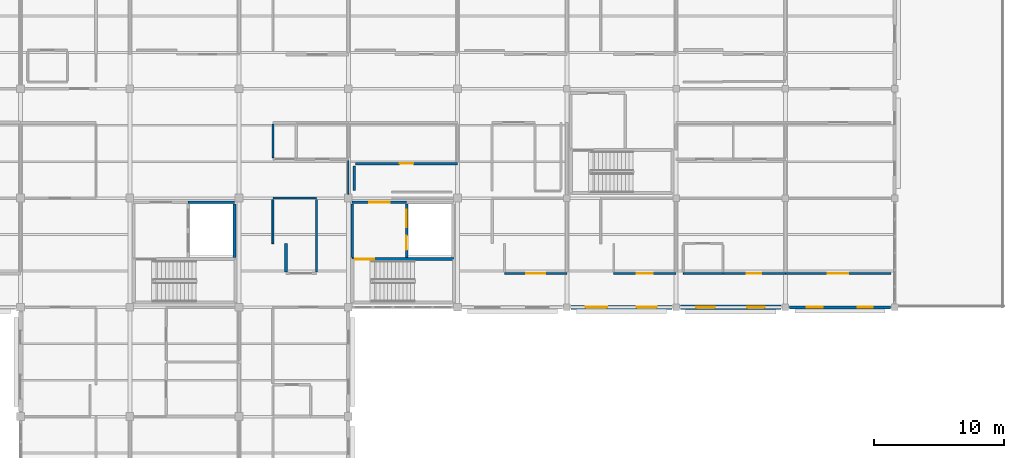
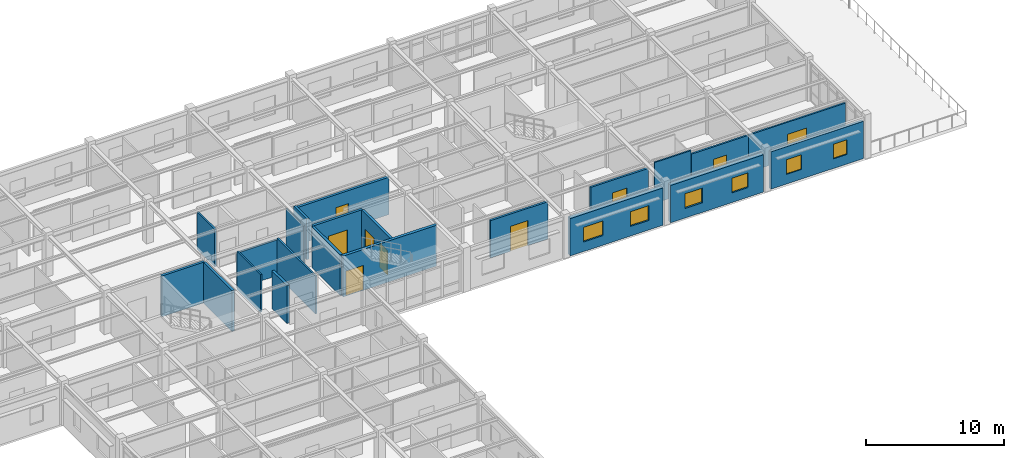
# One storey, part 56 of 70: 22 walls, 9 doors, 6 windows, 15 openings.
"""IFC4 building model written with IfcOpenShell, lengths in metres."""

from ifc_helpers import new_model, si_unit, direction, frame, frame_2d, origin, place, context, subcontext, project, spatial, rectangle, extrude, material, layer, layer_set, type_object, element, fill, save


model = new_model("IFC4")

# Units and contexts
model_context = context("Model", 3, precision=1e-05, world=origin(), true_north=direction((0.0, 1.0)))
body_context = subcontext(model_context, "Body", "Model", "MODEL_VIEW")
ifc_project = project(units=[si_unit("LENGTHUNIT", "METRE"), si_unit("AREAUNIT", "SQUARE_METRE"), si_unit("VOLUMEUNIT", "CUBIC_METRE"), si_unit("PLANEANGLEUNIT", "RADIAN"), si_unit("MASSUNIT", "GRAM", prefix="KILO")], contexts=[model_context])

# Site, building, storey
site_placement = place(None, origin())
site = spatial("IfcSite", under=ifc_project, at=site_placement, CompositionType="ELEMENT")
building_placement = place(site_placement, origin())
building = spatial("IfcBuilding", under=site, at=building_placement, Name="Bramfleet General Hospital", CompositionType="ELEMENT")
storey_placement = place(building_placement, frame((0.0, 0.0, 22.5)))
storey = spatial("IfcBuildingStorey", under=building, at=storey_placement, Name="L05", CompositionType="ELEMENT", Elevation=22.5)

# Wall, openings, windows
ifc_material_1 = material(Name="Precast concrete C40/50", Category="concrete")
ifc_layer_1 = layer(ifc_material_1, 0.3349609375, Name="WT-EW-03")
ifc_layer_set_1 = layer_set([ifc_layer_1], Name="Precast concrete C40/50")
wall_type_1 = type_object("IfcWallType", Name="WT-EW-03", PredefinedType="SOLIDWALL", material=ifc_layer_set_1)
wall_1_placement = place(storey_placement, frame((150.875, 92.39990234375, 0.0), z_axis=(0.0, 0.0, 1.0), x_axis=(-1.0, 0.0, 0.0)))
wall_1 = element("IfcWall", 1, at=wall_1_placement, inside=storey, type_object=wall_type_1, Name="L05 Exterior Wall 358", PredefinedType="SOLIDWALL", context=body_context, shape_type="SweptSolid", body=[
    extrude(rectangle(XDim=7.75, YDim=0.3349609375, at=frame_2d((3.875, 0.0))), origin(), (0.0, 0.0, 1.0), 3.31005859375),
])
opening_1_placement = place(wall_1_placement, frame((1.262451171875, 0.0, 0.85009765625)))
opening_1 = element("IfcOpeningElement", 2, at=opening_1_placement, cuts=wall_1, Name="Opening W-05", PredefinedType="OPENING", context=body_context, shape_type="SweptSolid", body=[
    extrude(rectangle(XDim=1.35009765625, YDim=1.300048828125, at=frame_2d((0.675048828125, 0.64990234375))), frame((0.0, 0.177490234375, 0.0), z_axis=(0.0, -1.0, 0.0), x_axis=(1.0, 0.0, 0.0)), (0.0, 0.0, 1.0), 0.35498046875),
])
opening_2_placement = place(wall_1_placement, frame((5.08740234375, 0.0, 0.85009765625)))
opening_2 = element("IfcOpeningElement", 3, at=opening_2_placement, cuts=wall_1, Name="Opening W-06", PredefinedType="OPENING", context=body_context, shape_type="SweptSolid", body=[
    extrude(rectangle(XDim=1.449951171875, YDim=1.300048828125, at=frame_2d((0.72509765625, 0.64990234375))), frame((0.0, 0.177490234375, 0.0), z_axis=(0.0, -1.0, 0.0), x_axis=(1.0, 0.0, 0.0)), (0.0, 0.0, 1.0), 0.35498046875),
])
ifc_material_2 = material(Name="Anodised aluminium and low-E triple glazing", Category="aluminium")
window_type_1 = type_object("IfcWindowType", Name="WIN-W-05", PartitioningType="SINGLE_PANEL", PredefinedType="WINDOW", material=ifc_material_2)
window_1_placement = place(opening_1_placement, origin())
window_1 = element("IfcWindow", 4, at=window_1_placement, inside=storey, type_object=window_type_1, Name="L05 Facade Window WIN-L05-358-1", OverallHeight=1.300048828125, OverallWidth=1.35009765625, PartitioningType="SINGLE_PANEL", PredefinedType="WINDOW", context=body_context, shape_type="SweptSolid", body=[
    extrude(rectangle(XDim=1.35009765625, YDim=1.300048828125, at=frame_2d((0.675048828125, 0.64990234375))), frame((0.0, 0.030029296875, 0.0), z_axis=(0.0, -1.0, 0.0), x_axis=(1.0, 0.0, 0.0)), (0.0, 0.0, 1.0), 0.06005859375),
])
fill(opening_1, window_1)
window_type_2 = type_object("IfcWindowType", Name="WIN-W-06", PartitioningType="SINGLE_PANEL", PredefinedType="WINDOW", material=ifc_material_2)
window_2_placement = place(opening_2_placement, origin())
window_2 = element("IfcWindow", 5, at=window_2_placement, inside=storey, type_object=window_type_2, Name="L05 Facade Window WIN-L05-358-2", OverallHeight=1.300048828125, OverallWidth=1.449951171875, PartitioningType="SINGLE_PANEL", PredefinedType="WINDOW", context=body_context, shape_type="SweptSolid", body=[
    extrude(rectangle(XDim=1.449951171875, YDim=1.300048828125, at=frame_2d((0.72509765625, 0.64990234375))), frame((0.0, 0.030029296875, 0.0), z_axis=(0.0, -1.0, 0.0), x_axis=(1.0, 0.0, 0.0)), (0.0, 0.0, 1.0), 0.06005859375),
])
fill(opening_2, window_2)

ifc_layer_2 = layer(ifc_material_1, 0.31494140625, Name="WT-EW-04")
ifc_layer_set_2 = layer_set([ifc_layer_2], Name="Precast concrete C40/50")
wall_type_2 = type_object("IfcWallType", Name="WT-EW-04", PredefinedType="SOLIDWALL", material=ifc_layer_set_2)
wall_2_placement = place(storey_placement, frame((142.47509765625, 92.39990234375, 0.0), z_axis=(0.0, 0.0, 1.0), x_axis=(-1.0, 0.0, 0.0)))
wall_2 = element("IfcWall", 6, at=wall_2_placement, inside=storey, type_object=wall_type_2, Name="L05 Exterior Wall 359", PredefinedType="SOLIDWALL", context=body_context, shape_type="SweptSolid", body=[
    extrude(rectangle(XDim=7.75, YDim=0.31494140625, at=frame_2d((3.875, 0.0))), origin(), (0.0, 0.0, 1.0), 3.31005859375),
])
opening_3_placement = place(wall_2_placement, frame((1.16259765625, 0.0, 0.85009765625)))
opening_3 = element("IfcOpeningElement", 7, at=opening_3_placement, cuts=wall_2, Name="Opening W-07", PredefinedType="OPENING", context=body_context, shape_type="SweptSolid", body=[
    extrude(rectangle(XDim=1.550048828125, YDim=1.300048828125, at=frame_2d((0.77490234375, 0.64990234375))), frame((0.0, 0.16748046875, 0.0), z_axis=(0.0, -1.0, 0.0), x_axis=(1.0, 0.0, 0.0)), (0.0, 0.0, 1.0), 0.3349609375),
])
opening_4_placement = place(wall_2_placement, frame((4.987548828125, 0.0, 0.85009765625)))
opening_4 = element("IfcOpeningElement", 8, at=opening_4_placement, cuts=wall_2, Name="Opening W-08", PredefinedType="OPENING", context=body_context, shape_type="SweptSolid", body=[
    extrude(rectangle(XDim=1.64990234375, YDim=1.300048828125, at=frame_2d((0.824951171875, 0.64990234375))), frame((0.0, 0.16748046875, 0.0), z_axis=(0.0, -1.0, 0.0), x_axis=(1.0, 0.0, 0.0)), (0.0, 0.0, 1.0), 0.3349609375),
])
window_type_3 = type_object("IfcWindowType", Name="WIN-W-07", PartitioningType="SINGLE_PANEL", PredefinedType="WINDOW", material=ifc_material_2)
window_3_placement = place(opening_3_placement, origin())
window_3 = element("IfcWindow", 9, at=window_3_placement, inside=storey, type_object=window_type_3, Name="L05 Facade Window WIN-L05-359-1", OverallHeight=1.300048828125, OverallWidth=1.550048828125, PartitioningType="SINGLE_PANEL", PredefinedType="WINDOW", context=body_context, shape_type="SweptSolid", body=[
    extrude(rectangle(XDim=1.550048828125, YDim=1.300048828125, at=frame_2d((0.77490234375, 0.64990234375))), frame((0.0, 0.030029296875, 0.0), z_axis=(0.0, -1.0, 0.0), x_axis=(1.0, 0.0, 0.0)), (0.0, 0.0, 1.0), 0.06005859375),
])
fill(opening_3, window_3)
window_type_4 = type_object("IfcWindowType", Name="WIN-W-08", PartitioningType="SINGLE_PANEL", PredefinedType="WINDOW", material=ifc_material_2)
window_4_placement = place(opening_4_placement, origin())
window_4 = element("IfcWindow", 10, at=window_4_placement, inside=storey, type_object=window_type_4, Name="L05 Facade Window WIN-L05-359-2", OverallHeight=1.300048828125, OverallWidth=1.64990234375, PartitioningType="SINGLE_PANEL", PredefinedType="WINDOW", context=body_context, shape_type="SweptSolid", body=[
    extrude(rectangle(XDim=1.64990234375, YDim=1.300048828125, at=frame_2d((0.824951171875, 0.64990234375))), frame((0.0, 0.030029296875, 0.0), z_axis=(0.0, -1.0, 0.0), x_axis=(1.0, 0.0, 0.0)), (0.0, 0.0, 1.0), 0.06005859375),
])
fill(opening_4, window_4)

ifc_layer_3 = layer(ifc_material_1, 0.235107421875, Name="WT-EW-09")
ifc_layer_set_3 = layer_set([ifc_layer_3], Name="Precast concrete C40/50")
wall_type_3 = type_object("IfcWallType", Name="WT-EW-09", PredefinedType="SOLIDWALL", material=ifc_layer_set_3)
wall_3_placement = place(storey_placement, frame((159.27490234375, 92.39990234375, 0.0), z_axis=(0.0, 0.0, 1.0), x_axis=(-1.0, 0.0, 0.0)))
wall_3 = element("IfcWall", 11, at=wall_3_placement, inside=storey, type_object=wall_type_3, Name="L05 Exterior Wall 357", PredefinedType="SOLIDWALL", context=body_context, shape_type="SweptSolid", body=[
    extrude(rectangle(XDim=7.75, YDim=0.235107421875, at=frame_2d((3.875, 0.0))), origin(), (0.0, 0.0, 1.0), 3.300048828125),
])
opening_5_placement = place(wall_3_placement, frame((1.362548828125, 0.0, 0.85009765625)))
opening_5 = element("IfcOpeningElement", 12, at=opening_5_placement, cuts=wall_3, Name="Opening W-03", PredefinedType="OPENING", context=body_context, shape_type="SweptSolid", body=[
    extrude(rectangle(XDim=1.14990234375, YDim=1.300048828125, at=frame_2d((0.574951171875, 0.64990234375))), frame((0.0, 0.12744140625, 0.0), z_axis=(0.0, -1.0, 0.0), x_axis=(1.0, 0.0, 0.0)), (0.0, 0.0, 1.0), 0.255126953125),
])
opening_6_placement = place(wall_3_placement, frame((5.1875, 0.0, 0.85009765625)))
opening_6 = element("IfcOpeningElement", 13, at=opening_6_placement, cuts=wall_3, Name="Opening W-04", PredefinedType="OPENING", context=body_context, shape_type="SweptSolid", body=[
    extrude(rectangle(XDim=1.25, YDim=1.300048828125, at=frame_2d((0.625, 0.64990234375))), frame((0.0, 0.12744140625, 0.0), z_axis=(0.0, -1.0, 0.0), x_axis=(1.0, 0.0, 0.0)), (0.0, 0.0, 1.0), 0.255126953125),
])
window_type_5 = type_object("IfcWindowType", Name="WIN-W-03", PartitioningType="SINGLE_PANEL", PredefinedType="WINDOW", material=ifc_material_2)
window_5_placement = place(opening_5_placement, origin())
window_5 = element("IfcWindow", 14, at=window_5_placement, inside=storey, type_object=window_type_5, Name="L05 Facade Window WIN-L05-357-1", OverallHeight=1.300048828125, OverallWidth=1.14990234375, PartitioningType="SINGLE_PANEL", PredefinedType="WINDOW", context=body_context, shape_type="SweptSolid", body=[
    extrude(rectangle(XDim=1.14990234375, YDim=1.300048828125, at=frame_2d((0.574951171875, 0.64990234375))), frame((0.0, 0.030029296875, 0.0), z_axis=(0.0, -1.0, 0.0), x_axis=(1.0, 0.0, 0.0)), (0.0, 0.0, 1.0), 0.06005859375),
])
fill(opening_5, window_5)
window_type_6 = type_object("IfcWindowType", Name="WIN-W-04", PartitioningType="SINGLE_PANEL", PredefinedType="WINDOW", material=ifc_material_2)
window_6_placement = place(opening_6_placement, origin())
window_6 = element("IfcWindow", 15, at=window_6_placement, inside=storey, type_object=window_type_6, Name="L05 Facade Window WIN-L05-357-2", OverallHeight=1.300048828125, OverallWidth=1.25, PartitioningType="SINGLE_PANEL", PredefinedType="WINDOW", context=body_context, shape_type="SweptSolid", body=[
    extrude(rectangle(XDim=1.25, YDim=1.300048828125, at=frame_2d((0.625, 0.64990234375))), frame((0.0, 0.030029296875, 0.0), z_axis=(0.0, -1.0, 0.0), x_axis=(1.0, 0.0, 0.0)), (0.0, 0.0, 1.0), 0.06005859375),
])
fill(opening_6, window_6)

# Walls
ifc_material_3 = material(Name="Concrete C35/45", Category="concrete")
ifc_layer_4 = layer(ifc_material_3, 0.219970703125, Name="WT-IW-01")
ifc_layer_set_4 = layer_set([ifc_layer_4], Name="Concrete C35/45")
wall_type_4 = type_object("IfcWallType", Name="WT-IW-01", PredefinedType="PARTITIONING", material=ifc_layer_set_4)
wall_4_placement = place(storey_placement, frame((112.800048828125, 95.114990234375, 0.0), z_axis=(0.0, 0.0, 1.0), x_axis=(0.0, 1.0, 0.0)))
element("IfcWall", 16, at=wall_4_placement, inside=storey, type_object=wall_type_4, Name="L05 Interior Partition IW-L05-3769", PredefinedType="PARTITIONING", context=body_context, shape_type="SweptSolid", body=[
    extrude(rectangle(XDim=2.18505859375, YDim=0.219970703125, at=frame_2d((1.092529296875, 0.0))), origin(), (0.0, 0.0, 1.0), 3.340087890625),
])
ifc_layer_5 = layer(ifc_material_3, 0.205078125, Name="WT-IW-02")
ifc_layer_set_5 = layer_set([ifc_layer_5], Name="Concrete C35/45")
wall_type_5 = type_object("IfcWallType", Name="WT-IW-02", PredefinedType="PARTITIONING", material=ifc_layer_set_5)
wall_5_placement = place(storey_placement, frame((108.85009765625, 96.239990234375, 0.0), z_axis=(0.0, 0.0, 1.0), x_axis=(0.0, 1.0, 0.0)))
element("IfcWall", 17, at=wall_5_placement, inside=storey, type_object=wall_type_5, Name="L05 C4 Lift Shaft East Wall", PredefinedType="PARTITIONING", context=body_context, shape_type="SweptSolid", body=[
    extrude(rectangle(XDim=4.1201171875, YDim=0.205078125, at=frame_2d((2.06005859375, 0.0))), origin(), (0.0, 0.0, 1.0), 3.610107421875),
])
wall_6_placement = place(storey_placement, frame((105.280029296875, 100.47998046875, 0.0), z_axis=(0.0, 0.0, 1.0), x_axis=(1.0, 0.0, 0.0)))
element("IfcWall", 18, at=wall_6_placement, inside=storey, type_object=wall_type_5, Name="L05 C4 Lift Shaft North Wall", PredefinedType="PARTITIONING", context=body_context, shape_type="SweptSolid", body=[
    extrude(rectangle(XDim=3.570068359375, YDim=0.205078125, at=frame_2d((1.78515625, 0.0))), origin(), (0.0, 0.0, 1.0), 3.610107421875),
])

# Wall, openings, doors
wall_7_placement = place(storey_placement, frame((122.080078125, 96.239990234375, 0.0), z_axis=(0.0, 0.0, 1.0), x_axis=(0.0, 1.0, 0.0)))
wall_7 = element("IfcWall", 19, at=wall_7_placement, inside=storey, type_object=wall_type_5, Name="L05 C6 Lobby East Shaft Wall", PredefinedType="PARTITIONING", context=body_context, shape_type="SweptSolid", body=[
    extrude(rectangle(XDim=4.1201171875, YDim=0.205078125, at=frame_2d((2.06005859375, 0.0))), origin(), (0.0, 0.0, 1.0), 3.610107421875),
])
opening_7_placement = place(wall_7_placement, frame((0.570068359375, 0.0, 0.0)))
opening_7 = element("IfcOpeningElement", 20, at=opening_7_placement, cuts=wall_7, Name="Opening LD-PL-04-L05", PredefinedType="OPENING", context=body_context, shape_type="SweptSolid", body=[
    extrude(rectangle(XDim=1.10009765625, YDim=2.14990234375, at=frame_2d((0.550048828125, 1.074951171875))), frame((0.0, 0.112548828125, 0.0), z_axis=(0.0, -1.0, 0.0), x_axis=(1.0, 0.0, 0.0)), (0.0, 0.0, 1.0), 0.22509765625),
])
opening_8_placement = place(wall_7_placement, frame((2.324951171875, 0.0, 0.0)))
opening_8 = element("IfcOpeningElement", 21, at=opening_8_placement, cuts=wall_7, Name="Opening LD-GL-02-L05", PredefinedType="OPENING", context=body_context, shape_type="SweptSolid", body=[
    extrude(rectangle(XDim=1.35009765625, YDim=2.199951171875, at=frame_2d((0.675048828125, 1.10009765625))), frame((0.0, 0.112548828125, 0.0), z_axis=(0.0, -1.0, 0.0), x_axis=(1.0, 0.0, 0.0)), (0.0, 0.0, 1.0), 0.22509765625),
])
ifc_material_4 = material(Name="Brushed stainless steel 1.4301", Category="steel")
door_type_1 = type_object("IfcDoorType", Name="DR-LD-01", OperationType="NOTDEFINED", PredefinedType="DOOR", material=ifc_material_4)
door_1_placement = place(opening_8_placement, origin())
door_1 = element("IfcDoor", 22, at=door_1_placement, inside=storey, type_object=door_type_1, Name="L05 Lift GL-02 Sliding Landing Door", OperationType="SLIDING_TO_LEFT", OverallHeight=2.199951171875, OverallWidth=1.35009765625, PredefinedType="DOOR", context=body_context, shape_type="SweptSolid", body=[
    extrude(rectangle(XDim=1.35009765625, YDim=2.199951171875, at=frame_2d((0.675048828125, 1.10009765625))), frame((0.0, 0.02490234375, 0.0), z_axis=(0.0, -1.0, 0.0), x_axis=(1.0, 0.0, 0.0)), (0.0, 0.0, 1.0), 0.050048828125),
])
fill(opening_8, door_1)
door_type_2 = type_object("IfcDoorType", Name="DR-LD-02", OperationType="NOTDEFINED", PredefinedType="DOOR", material=ifc_material_4)
door_2_placement = place(opening_7_placement, origin())
door_2 = element("IfcDoor", 23, at=door_2_placement, inside=storey, type_object=door_type_2, Name="L05 Lift PL-04 Sliding Landing Door", OperationType="SLIDING_TO_LEFT", OverallHeight=2.14990234375, OverallWidth=1.10009765625, PredefinedType="DOOR", context=body_context, shape_type="SweptSolid", body=[
    extrude(rectangle(XDim=1.10009765625, YDim=2.14990234375, at=frame_2d((0.550048828125, 1.074951171875))), frame((0.0, 0.02490234375, 0.0), z_axis=(0.0, -1.0, 0.0), x_axis=(1.0, 0.0, 0.0)), (0.0, 0.0, 1.0), 0.050048828125),
])
fill(opening_7, door_2)

# Wall
wall_8_placement = place(storey_placement, frame((117.89990234375, 96.239990234375, 0.0), z_axis=(0.0, 0.0, 1.0), x_axis=(0.0, 1.0, 0.0)))
element("IfcWall", 24, at=wall_8_placement, inside=storey, type_object=wall_type_5, Name="L05 C6 Lobby West Compartment Wall", PredefinedType="PARTITIONING", context=body_context, shape_type="SweptSolid", body=[
    extrude(rectangle(XDim=4.1201171875, YDim=0.205078125, at=frame_2d((2.06005859375, 0.0))), origin(), (0.0, 0.0, 1.0), 3.610107421875),
])

# Wall, opening, door
wall_9_placement = place(storey_placement, frame((117.89990234375, 100.47998046875, 0.0), z_axis=(0.0, 0.0, 1.0), x_axis=(1.0, 0.0, 0.0)))
wall_9 = element("IfcWall", 25, at=wall_9_placement, inside=storey, type_object=wall_type_5, Name="L05 C6 Lobby North Compartment Wall", PredefinedType="PARTITIONING", context=body_context, shape_type="SweptSolid", body=[
    extrude(rectangle(XDim=4.18017578125, YDim=0.205078125, at=frame_2d((2.090087890625, 0.0))), origin(), (0.0, 0.0, 1.0), 3.610107421875),
])
opening_9_placement = place(wall_9_placement, frame((1.2900390625, 0.0, 0.0)))
opening_9 = element("IfcOpeningElement", 26, at=opening_9_placement, cuts=wall_9, Name="Opening D0086", PredefinedType="OPENING", context=body_context, shape_type="SweptSolid", body=[
    extrude(rectangle(XDim=1.60009765625, YDim=2.25, at=frame_2d((0.800048828125, 1.125))), frame((0.0, 0.112548828125, 0.0), z_axis=(0.0, -1.0, 0.0), x_axis=(1.0, 0.0, 0.0)), (0.0, 0.0, 1.0), 0.22509765625),
])
ifc_material_5 = material(Name="Stainless steel and acoustic timber leaf", Category="steel")
door_type_3 = type_object("IfcDoorType", Name="DR-D-04", OperationType="NOTDEFINED", PredefinedType="DOOR", material=ifc_material_5)
door_3_placement = place(opening_9_placement, origin())
door_3 = element("IfcDoor", 27, at=door_3_placement, inside=storey, type_object=door_type_3, Name="L05 C6 Lobby Fire Door D0086", OperationType="DOUBLE_SWING_LEFT", OverallHeight=2.25, OverallWidth=1.60009765625, PredefinedType="DOOR", context=body_context, shape_type="SweptSolid", body=[
    extrude(rectangle(XDim=1.60009765625, YDim=2.25, at=frame_2d((0.800048828125, 1.125))), frame((0.0, 0.02490234375, 0.0), z_axis=(0.0, -1.0, 0.0), x_axis=(1.0, 0.0, 0.0)), (0.0, 0.0, 1.0), 0.050048828125),
])
fill(opening_9, door_3)

wall_10_placement = place(storey_placement, frame((118.14990234375, 103.449951171875, 0.0), z_axis=(0.0, 0.0, 1.0), x_axis=(1.0, 0.0, 0.0)))
wall_10 = element("IfcWall", 28, at=wall_10_placement, inside=storey, type_object=wall_type_5, Name="L05 Interior Partition IW-L05-3614", PredefinedType="PARTITIONING", context=body_context, shape_type="SweptSolid", body=[
    extrude(rectangle(XDim=7.85009765625, YDim=0.205078125, at=frame_2d((3.925048828125, 0.0))), origin(), (0.0, 0.0, 1.0), 3.300048828125),
])
opening_10_placement = place(wall_10_placement, frame((3.39990234375, 0.0, 0.0)))
opening_10 = element("IfcOpeningElement", 29, at=opening_10_placement, cuts=wall_10, Name="Opening D1417", PredefinedType="OPENING", context=body_context, shape_type="SweptSolid", body=[
    extrude(rectangle(XDim=1.050048828125, YDim=2.14990234375, at=frame_2d((0.52490234375, 1.074951171875))), frame((0.0, 0.112548828125, 0.0), z_axis=(0.0, -1.0, 0.0), x_axis=(1.0, 0.0, 0.0)), (0.0, 0.0, 1.0), 0.22509765625),
])
door_type_4 = type_object("IfcDoorType", Name="DR-D-09", OperationType="NOTDEFINED", PredefinedType="DOOR", material=ifc_material_5)
door_4_placement = place(opening_10_placement, origin())
door_4 = element("IfcDoor", 30, at=door_4_placement, inside=storey, type_object=door_type_4, Name="Patient Dayroom and Garden Lounge L05-1412 Door D1417", OperationType="SINGLE_SWING_RIGHT", OverallHeight=2.14990234375, OverallWidth=1.050048828125, PredefinedType="DOOR", context=body_context, shape_type="SweptSolid", body=[
    extrude(rectangle(XDim=1.050048828125, YDim=2.14990234375, at=frame_2d((0.52490234375, 1.074951171875))), frame((0.0, 0.02490234375, 0.0), z_axis=(0.0, -1.0, 0.0), x_axis=(1.0, 0.0, 0.0)), (0.0, 0.0, 1.0), 0.050048828125),
])
fill(opening_10, door_4)

# Wall
ifc_layer_6 = layer(ifc_material_3, 0.18994140625, Name="WT-IW-03")
ifc_layer_set_6 = layer_set([ifc_layer_6], Name="Concrete C35/45")
wall_type_6 = type_object("IfcWallType", Name="WT-IW-03", PredefinedType="PARTITIONING", material=ifc_layer_set_6)
wall_11_placement = place(storey_placement, frame((118.050048828125, 101.364990234375, 0.0), z_axis=(0.0, 0.0, 1.0), x_axis=(0.0, 1.0, 0.0)))
element("IfcWall", 31, at=wall_11_placement, inside=storey, type_object=wall_type_6, Name="L05 Interior Partition IW-L05-3783", PredefinedType="PARTITIONING", context=body_context, shape_type="SweptSolid", body=[
    extrude(rectangle(XDim=1.885009765625, YDim=0.18994140625, at=frame_2d((0.9423828125, 0.0))), origin(), (0.0, 0.0, 1.0), 3.610107421875),
])

# Wall, opening, door
ifc_layer_7 = layer(ifc_material_3, 0.179931640625, Name="WT-IW-04")
ifc_layer_set_7 = layer_set([ifc_layer_7], Name="Concrete C35/45")
wall_type_7 = type_object("IfcWallType", Name="WT-IW-04", PredefinedType="PARTITIONING", material=ifc_layer_set_7)
wall_12_placement = place(storey_placement, frame((129.60009765625, 95.0, 0.0), z_axis=(0.0, 0.0, 1.0), x_axis=(1.0, 0.0, 0.0)))
wall_12 = element("IfcWall", 32, at=wall_12_placement, inside=storey, type_object=wall_type_7, Name="L05 Interior Partition IW-L05-3592", PredefinedType="PARTITIONING", context=body_context, shape_type="SweptSolid", body=[
    extrude(rectangle(XDim=4.7998046875, YDim=0.179931640625, at=frame_2d((2.39990234375, 0.0))), origin(), (0.0, 0.0, 1.0), 3.300048828125),
])
opening_11_placement = place(wall_12_placement, frame((1.659912109375, 0.0, 0.0)))
opening_11 = element("IfcOpeningElement", 33, at=opening_11_placement, cuts=wall_12, Name="Opening D1424", PredefinedType="OPENING", context=body_context, shape_type="SweptSolid", body=[
    extrude(rectangle(XDim=1.47998046875, YDim=2.219970703125, at=frame_2d((0.739990234375, 1.10986328125))), frame((0.0, 0.099853515625, 0.0), z_axis=(0.0, -1.0, 0.0), x_axis=(1.0, 0.0, 0.0)), (0.0, 0.0, 1.0), 0.199951171875),
])
door_type_5 = type_object("IfcDoorType", Name="DR-D-16", OperationType="NOTDEFINED", PredefinedType="DOOR", material=ifc_material_5)
door_5_placement = place(opening_11_placement, origin())
door_5 = element("IfcDoor", 34, at=door_5_placement, inside=storey, type_object=door_type_5, Name="Medical and Cardiology Ward Bedroom L05-1511 Door D1424", OperationType="SINGLE_SWING_LEFT", OverallHeight=2.219970703125, OverallWidth=1.47998046875, PredefinedType="DOOR", context=body_context, shape_type="SweptSolid", body=[
    extrude(rectangle(XDim=1.47998046875, YDim=2.219970703125, at=frame_2d((0.739990234375, 1.10986328125))), frame((0.0, 0.02490234375, 0.0), z_axis=(0.0, -1.0, 0.0), x_axis=(1.0, 0.0, 0.0)), (0.0, 0.0, 1.0), 0.050048828125),
])
fill(opening_11, door_5)

ifc_material_6 = material(Name="Gypsum plasterboard on acoustic steel studs", Category="steel")
ifc_layer_8 = layer(ifc_material_6, 0.169921875, Name="WT-IW-05")
ifc_layer_set_8 = layer_set([ifc_layer_8], Name="Gypsum plasterboard on acoustic steel studs")
wall_type_8 = type_object("IfcWallType", Name="WT-IW-05", PredefinedType="PARTITIONING", material=ifc_layer_set_8)
wall_13_placement = place(storey_placement, frame((138.0, 95.0, 0.0), z_axis=(0.0, 0.0, 1.0), x_axis=(1.0, 0.0, 0.0)))
wall_13 = element("IfcWall", 35, at=wall_13_placement, inside=storey, type_object=wall_type_8, Name="L05 Interior Partition IW-L05-3593", PredefinedType="PARTITIONING", context=body_context, shape_type="SweptSolid", body=[
    extrude(rectangle(XDim=4.800048828125, YDim=0.169921875, at=frame_2d((2.39990234375, 0.0))), origin(), (0.0, 0.0, 1.0), 3.300048828125),
])
opening_12_placement = place(wall_13_placement, frame((1.7900390625, 0.0, 0.0)))
opening_12 = element("IfcOpeningElement", 36, at=opening_12_placement, cuts=wall_13, Name="Opening D1431", PredefinedType="OPENING", context=body_context, shape_type="SweptSolid", body=[
    extrude(rectangle(XDim=1.219970703125, YDim=2.179931640625, at=frame_2d((0.60986328125, 1.08984375))), frame((0.0, 0.094970703125, 0.0), z_axis=(0.0, -1.0, 0.0), x_axis=(1.0, 0.0, 0.0)), (0.0, 0.0, 1.0), 0.18994140625),
])
door_type_6 = type_object("IfcDoorType", Name="DR-D-23", OperationType="NOTDEFINED", PredefinedType="DOOR", material=ifc_material_5)
door_6_placement = place(opening_12_placement, origin())
door_6 = element("IfcDoor", 37, at=door_6_placement, inside=storey, type_object=door_type_6, Name="Medical and Cardiology Ward Bedroom L05-1611 Door D1431", OperationType="SINGLE_SWING_RIGHT", OverallHeight=2.179931640625, OverallWidth=1.219970703125, PredefinedType="DOOR", context=body_context, shape_type="SweptSolid", body=[
    extrude(rectangle(XDim=1.219970703125, YDim=2.179931640625, at=frame_2d((0.60986328125, 1.08984375))), frame((0.0, 0.02490234375, 0.0), z_axis=(0.0, -1.0, 0.0), x_axis=(1.0, 0.0, 0.0)), (0.0, 0.0, 1.0), 0.050048828125),
])
fill(opening_12, door_6)

# Wall
wall_14_placement = place(storey_placement, frame((111.800048828125, 100.800048828125, 0.0), z_axis=(0.0, 0.0, 1.0), x_axis=(1.0, 0.0, 0.0)))
element("IfcWall", 38, at=wall_14_placement, inside=storey, type_object=wall_type_8, Name="L05 Interior Partition IW-L05-3605", PredefinedType="PARTITIONING", context=body_context, shape_type="SweptSolid", body=[
    extrude(rectangle(XDim=3.349853515625, YDim=0.169921875, at=frame_2d((1.6748046875, 0.0))), origin(), (0.0, 0.0, 1.0), 3.159912109375),
])

# Wall, opening, door
ifc_layer_9 = layer(ifc_material_6, 0.14990234375, Name="WT-IW-07")
ifc_layer_set_9 = layer_set([ifc_layer_9], Name="Gypsum plasterboard on acoustic steel studs")
wall_type_9 = type_object("IfcWallType", Name="WT-IW-07", PredefinedType="PARTITIONING", material=ifc_layer_set_9)
wall_15_placement = place(storey_placement, frame((146.39990234375, 95.0, 0.0), z_axis=(0.0, 0.0, 1.0), x_axis=(1.0, 0.0, 0.0)))
wall_15 = element("IfcWall", 39, at=wall_15_placement, inside=storey, type_object=wall_type_9, Name="L05 Interior Partition IW-L05-3595", PredefinedType="PARTITIONING", context=body_context, shape_type="SweptSolid", body=[
    extrude(rectangle(XDim=4.800048828125, YDim=0.14990234375, at=frame_2d((2.39990234375, 0.0))), origin(), (0.0, 0.0, 1.0), 3.2900390625),
])
opening_13_placement = place(wall_15_placement, frame((1.840087890625, 0.0, 0.0)))
opening_13 = element("IfcOpeningElement", 40, at=opening_13_placement, cuts=wall_15, Name="Opening D1435", PredefinedType="OPENING", context=body_context, shape_type="SweptSolid", body=[
    extrude(rectangle(XDim=1.1201171875, YDim=2.179931640625, at=frame_2d((0.56005859375, 1.08984375))), frame((0.0, 0.0849609375, 0.0), z_axis=(0.0, -1.0, 0.0), x_axis=(1.0, 0.0, 0.0)), (0.0, 0.0, 1.0), 0.169921875),
])
door_type_7 = type_object("IfcDoorType", Name="DR-D-27", OperationType="NOTDEFINED", PredefinedType="DOOR", material=ifc_material_5)
door_7_placement = place(opening_13_placement, origin())
door_7 = element("IfcDoor", 41, at=door_7_placement, inside=storey, type_object=door_type_7, Name="Medical and Cardiology Ward Bedroom L05-1711 Door D1435", OperationType="SINGLE_SWING_RIGHT", OverallHeight=2.179931640625, OverallWidth=1.1201171875, PredefinedType="DOOR", context=body_context, shape_type="SweptSolid", body=[
    extrude(rectangle(XDim=1.1201171875, YDim=2.179931640625, at=frame_2d((0.56005859375, 1.08984375))), frame((0.0, 0.02490234375, 0.0), z_axis=(0.0, -1.0, 0.0), x_axis=(1.0, 0.0, 0.0)), (0.0, 0.0, 1.0), 0.050048828125),
])
fill(opening_13, door_7)

ifc_layer_10 = layer(ifc_material_6, 0.139892578125, Name="WT-IW-08")
ifc_layer_set_10 = layer_set([ifc_layer_10], Name="Gypsum plasterboard on acoustic steel studs")
wall_type_10 = type_object("IfcWallType", Name="WT-IW-08", PredefinedType="PARTITIONING", material=ifc_layer_set_10)
wall_16_placement = place(storey_placement, frame((151.199951171875, 95.0, 0.0), z_axis=(0.0, 0.0, 1.0), x_axis=(1.0, 0.0, 0.0)))
wall_16 = element("IfcWall", 42, at=wall_16_placement, inside=storey, type_object=wall_type_10, Name="L05 Interior Partition IW-L05-3596", PredefinedType="PARTITIONING", context=body_context, shape_type="SweptSolid", body=[
    extrude(rectangle(XDim=8.1201171875, YDim=0.139892578125, at=frame_2d((4.06005859375, 0.0))), origin(), (0.0, 0.0, 1.0), 3.2900390625),
])
opening_14_placement = place(wall_16_placement, frame((3.27001953125, 0.0, 0.0)))
opening_14 = element("IfcOpeningElement", 43, at=opening_14_placement, cuts=wall_16, Name="Opening D1440", PredefinedType="OPENING", context=body_context, shape_type="SweptSolid", body=[
    extrude(rectangle(XDim=1.580078125, YDim=2.219970703125, at=frame_2d((0.7900390625, 1.10986328125))), frame((0.0, 0.079833984375, 0.0), z_axis=(0.0, -1.0, 0.0), x_axis=(1.0, 0.0, 0.0)), (0.0, 0.0, 1.0), 0.159912109375),
])
door_type_8 = type_object("IfcDoorType", Name="DR-D-32", OperationType="NOTDEFINED", PredefinedType="DOOR", material=ifc_material_5)
door_8_placement = place(opening_14_placement, origin())
door_8 = element("IfcDoor", 44, at=door_8_placement, inside=storey, type_object=door_type_8, Name="Patient Dayroom and Garden Lounge L05-1811 Door D1440", OperationType="DOUBLE_SWING_LEFT", OverallHeight=2.219970703125, OverallWidth=1.580078125, PredefinedType="DOOR", context=body_context, shape_type="SweptSolid", body=[
    extrude(rectangle(XDim=1.580078125, YDim=2.219970703125, at=frame_2d((0.7900390625, 1.10986328125))), frame((0.0, 0.02490234375, 0.0), z_axis=(0.0, -1.0, 0.0), x_axis=(1.0, 0.0, 0.0)), (0.0, 0.0, 1.0), 0.050048828125),
])
fill(opening_14, door_8)

# Walls
wall_17_placement = place(storey_placement, frame((111.800048828125, 97.300048828125, 0.0), z_axis=(0.0, 0.0, 1.0), x_axis=(0.0, 1.0, 0.0)))
element("IfcWall", 45, at=wall_17_placement, inside=storey, type_object=wall_type_10, Name="L05 Interior Partition IW-L05-3764", PredefinedType="PARTITIONING", context=body_context, shape_type="SweptSolid", body=[
    extrude(rectangle(XDim=3.385009765625, YDim=0.139892578125, at=frame_2d((1.6923828125, 0.0))), origin(), (0.0, 0.0, 1.0), 3.340087890625),
])
wall_18_placement = place(storey_placement, frame((115.14990234375, 95.114990234375, 0.0), z_axis=(0.0, 0.0, 1.0), x_axis=(0.0, 1.0, 0.0)))
element("IfcWall", 46, at=wall_18_placement, inside=storey, type_object=wall_type_10, Name="L05 Interior Partition IW-L05-3776", PredefinedType="PARTITIONING", context=body_context, shape_type="SweptSolid", body=[
    extrude(rectangle(XDim=5.570068359375, YDim=0.139892578125, at=frame_2d((2.78515625, 0.0))), origin(), (0.0, 0.0, 1.0), 3.340087890625),
])
ifc_layer_11 = layer(ifc_material_6, 0.1298828125, Name="WT-IW-09")
ifc_layer_set_11 = layer_set([ifc_layer_11], Name="Gypsum plasterboard on acoustic steel studs")
wall_type_11 = type_object("IfcWallType", Name="WT-IW-09", PredefinedType="PARTITIONING", material=ifc_layer_set_11)
wall_19_placement = place(storey_placement, frame((111.800048828125, 103.9150390625, 0.0), z_axis=(0.0, 0.0, 1.0), x_axis=(0.0, 1.0, 0.0)))
element("IfcWall", 47, at=wall_19_placement, inside=storey, type_object=wall_type_11, Name="L05 Interior Partition IW-L05-3765", PredefinedType="PARTITIONING", context=body_context, shape_type="SweptSolid", body=[
    extrude(rectangle(XDim=2.570068359375, YDim=0.1298828125, at=frame_2d((1.28515625, 0.0))), origin(), (0.0, 0.0, 1.0), 3.340087890625),
])
ifc_layer_12 = layer(ifc_material_6, 0.1201171875, Name="WT-IW-10")
ifc_layer_set_12 = layer_set([ifc_layer_12], Name="Gypsum plasterboard on acoustic steel studs")
wall_type_12 = type_object("IfcWallType", Name="WT-IW-10", PredefinedType="PARTITIONING", material=ifc_layer_set_12)
wall_20_placement = place(storey_placement, frame((143.35009765625, 95.0, 0.0), z_axis=(0.0, 0.0, 1.0), x_axis=(1.0, 0.0, 0.0)))
element("IfcWall", 48, at=wall_20_placement, inside=storey, type_object=wall_type_12, Name="L05 Interior Partition IW-L05-3594", PredefinedType="PARTITIONING", context=body_context, shape_type="SweptSolid", body=[
    extrude(rectangle(XDim=3.0498046875, YDim=0.1201171875, at=frame_2d((1.52490234375, 0.0))), origin(), (0.0, 0.0, 1.0), 3.610107421875),
])
ifc_layer_13 = layer(ifc_material_6, 0.10009765625, Name="WT-IW-12")
ifc_layer_set_13 = layer_set([ifc_layer_13], Name="Gypsum plasterboard on acoustic steel studs")
wall_type_13 = type_object("IfcWallType", Name="WT-IW-12", PredefinedType="PARTITIONING", material=ifc_layer_set_13)
wall_21_placement = place(storey_placement, frame((117.60009765625, 101.094970703125, 0.0), z_axis=(0.0, 0.0, 1.0), x_axis=(0.0, 1.0, 0.0)))
element("IfcWall", 49, at=wall_21_placement, inside=storey, type_object=wall_type_13, Name="L05 Interior Partition IW-L05-3780", PredefinedType="PARTITIONING", context=body_context, shape_type="SweptSolid", body=[
    extrude(rectangle(XDim=2.590087890625, YDim=0.10009765625, at=frame_2d((1.294921875, 0.0))), origin(), (0.0, 0.0, 1.0), 3.300048828125),
])

# Wall, opening, door
ifc_material_7 = material(Name="Concrete C40/50", Category="concrete")
ifc_layer_14 = layer(ifc_material_7, 0.239990234375, Name="WT-SW-240")
ifc_layer_set_14 = layer_set([ifc_layer_14], Name="Concrete C40/50")
wall_type_14 = type_object("IfcWallType", Name="WT-SW-240", PredefinedType="SHEAR", material=ifc_layer_set_14)
wall_22_placement = place(storey_placement, frame((117.89990234375, 96.10009765625, 0.0), z_axis=(0.0, 0.0, 1.0), x_axis=(1.0, 0.0, 0.0)))
wall_22 = element("IfcWall", 50, at=wall_22_placement, inside=storey, type_object=wall_type_14, Name="L05 C6 Stair-Lobby Shear Wall", PredefinedType="SHEAR", context=body_context, shape_type="SweptSolid", body=[
    extrude(rectangle(XDim=7.820068359375, YDim=0.239990234375, at=frame_2d((3.91015625, 0.0))), origin(), (0.0, 0.0, 1.0), 3.6201171875),
])
opening_15_placement = place(wall_22_placement, frame((0.25, 0.0, 0.0)))
opening_15 = element("IfcOpeningElement", 51, at=opening_15_placement, cuts=wall_22, Name="Opening D0085", PredefinedType="OPENING", context=body_context, shape_type="SweptSolid", body=[
    extrude(rectangle(XDim=1.449951171875, YDim=2.199951171875, at=frame_2d((0.72509765625, 1.10009765625))), frame((0.0, 0.1298828125, 0.0), z_axis=(0.0, -1.0, 0.0), x_axis=(1.0, 0.0, 0.0)), (0.0, 0.0, 1.0), 0.260009765625),
])
door_type_9 = type_object("IfcDoorType", Name="DR-D-03", OperationType="NOTDEFINED", PredefinedType="DOOR", material=ifc_material_5)
door_9_placement = place(opening_15_placement, origin())
door_9 = element("IfcDoor", 52, at=door_9_placement, inside=storey, type_object=door_type_9, Name="L05 C6 Escape Stair Fire Door D0085", OperationType="SINGLE_SWING_RIGHT", OverallHeight=2.199951171875, OverallWidth=1.449951171875, PredefinedType="DOOR", context=body_context, shape_type="SweptSolid", body=[
    extrude(rectangle(XDim=1.449951171875, YDim=2.199951171875, at=frame_2d((0.72509765625, 1.10009765625))), frame((0.0, 0.02490234375, 0.0), z_axis=(0.0, -1.0, 0.0), x_axis=(1.0, 0.0, 0.0)), (0.0, 0.0, 1.0), 0.050048828125),
])
fill(opening_15, door_9)

save(model, "model.ifc")
